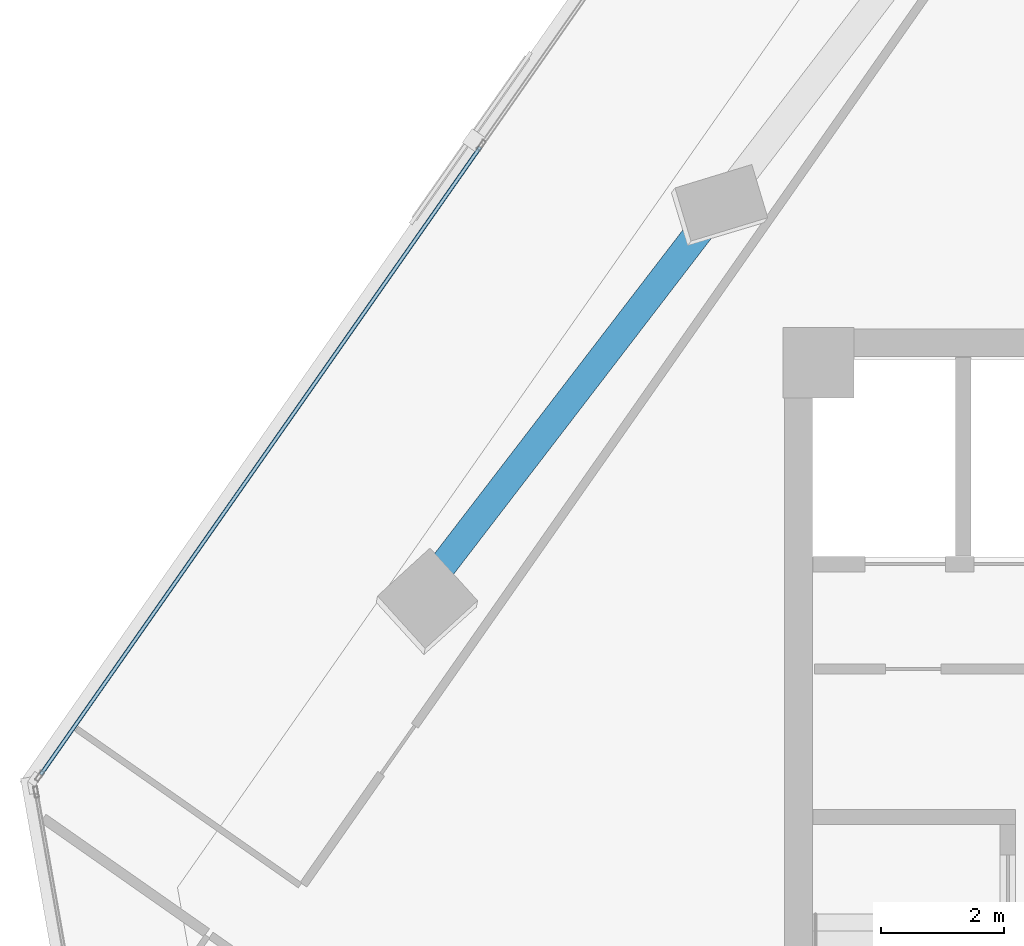
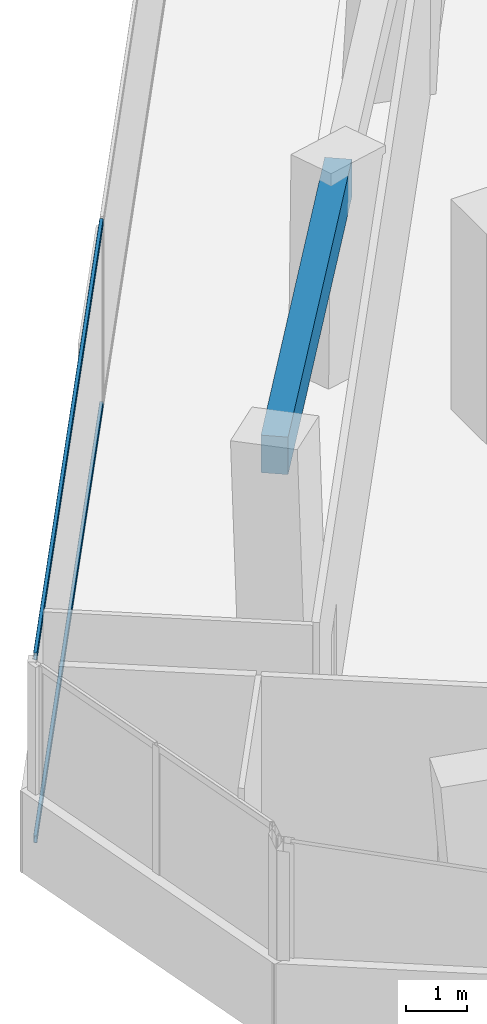
# One storey, part 6 of 21: 2 members, 1 beam, 1 element without a shape of its own.
"""IFC4 building model written with IfcOpenShell, lengths in metres."""

from ifc_helpers import new_model, si_unit, direction, frame, origin, origin_2d, place, context, subcontext, project, spatial, rectangle, hollow_rectangle, extrude, source, transform, mapped, material, material_profile, profile_set, type_object, element, aggregate, save


model = new_model("IFC4")

# Units and contexts
model_context = context("Model", 3, precision=1e-05, world=origin(), true_north=direction((0.0, 1.0)))
body_context = subcontext(model_context, "Body", "Model", "MODEL_VIEW")
ifc_project = project(units=[si_unit("LENGTHUNIT", "METRE"), si_unit("AREAUNIT", "SQUARE_METRE"), si_unit("VOLUMEUNIT", "CUBIC_METRE"), si_unit("PLANEANGLEUNIT", "RADIAN"), si_unit("MASSUNIT", "GRAM", prefix="KILO")], contexts=[model_context])

# Site, building, storey
site_placement = place(None, origin())
site = spatial("IfcSite", under=ifc_project, at=site_placement, CompositionType="ELEMENT")
building_placement = place(site_placement, origin())
building = spatial("IfcBuilding", under=site, at=building_placement, Name="Torre Montelarca", CompositionType="ELEMENT")
storey_placement = place(building_placement, frame((0.0, 0.0, 200.199951171875)))
storey = spatial("IfcBuildingStorey", under=building, at=storey_placement, Name="L45", CompositionType="ELEMENT", Elevation=200.199951171875)

# Beam
ifc_material_1 = material(Name="Concrete C55/67", Category="concrete")
ifc_material_profile_1 = material_profile(ifc_material_1, rectangle(XDim=0.449951171875, YDim=0.75, at=origin_2d()), Name="RCB450X750", Category="concrete")
ifc_profile_set_1 = profile_set([ifc_material_profile_1], Name="Concrete C55/67")
beam_type = type_object("IfcBeamType", Name="BM-SP-RC750-EXT", PredefinedType="SPANDREL", material=ifc_profile_set_1)
shared_shape_1 = source(origin(), body_context, "Body", "SweptSolid", [
    extrude(rectangle(XDim=0.449951171875, YDim=0.75, at=origin_2d()), origin(), (0.0, 0.0, 1.0), 8.0),
])
beam_placement = place(storey_placement, frame((3.261962890625, 35.910888671875, 3.5849609375), z_axis=(0.608772331974, 0.793344974033, 0.0), x_axis=(-0.793344974033, 0.608772331974, 0.0)))
element("IfcBeam", 1, at=beam_placement, inside=storey, type_object=beam_type, Name="L45 Grid Girder Y 24.0-32.0 at X=4.7", PredefinedType="SPANDREL", context=body_context, shape_type="MappedRepresentation", body=[
    mapped(shared_shape_1, transform((0.0, 0.0, 0.0), scale=1.0)),
])

# Curtain wall, members
ifc_material_2 = material(Name="Insulated low-E laminated glass", Category="glass")
curtain_wall_type = type_object("IfcCurtainWallType", Name="CW-SYS-Z2", PredefinedType="USERDEFINED", material=ifc_material_2)
curtain_wall_placement = place(storey_placement, origin())
curtain_wall = element("IfcCurtainWall", 2, at=curtain_wall_placement, inside=storey, type_object=curtain_wall_type, Name="L45 Curtain Wall Run CW-T3-L45-E10-B1", ObjectType="UNITISED GLAZING", PredefinedType="USERDEFINED")
ifc_material_3 = material(Name="Anodised aluminium AA 6063-T6", Category="aluminium")
ifc_material_profile_2 = material_profile(ifc_material_3, hollow_rectangle(XDim=0.06494140625, YDim=0.139892578125, WallThickness=0.00390625, InnerFilletRadius=0.00390625, OuterFilletRadius=0.008056640625, at=origin_2d()), Name="ALU65X140X4", Category="aluminium")
ifc_profile_set_2 = profile_set([ifc_material_profile_2], Name="Anodised aluminium AA 6063-T6")
member_type = type_object("IfcMemberType", Name="CWT-ALU140", PredefinedType="USERDEFINED", material=ifc_profile_set_2)
shared_shape_2 = source(origin(), body_context, "Body", "SweptSolid", [
    extrude(hollow_rectangle(XDim=0.06494140625, YDim=0.139892578125, WallThickness=0.00390625, InnerFilletRadius=0.00390625, OuterFilletRadius=0.008056640625, at=origin_2d()), origin(), (0.0, 0.0, 1.0), 12.4365234375),
])
member_1_placement = place(storey_placement, frame((4.057861328125, 42.95263671875, 0.032470703125), z_axis=(-0.573573009469, -0.819154443807, 0.0), x_axis=(0.819154443807, -0.573573009469, 0.0)))
member_1 = element("IfcMember", 3, at=member_1_placement, type_object=member_type, Name="CW transom 2.1", ObjectType="TRANSOM", PredefinedType="USERDEFINED", context=body_context, shape_type="MappedRepresentation", body=[
    mapped(shared_shape_2, transform((0.0, 0.0, 0.0), scale=1.0)),
])
member_2_placement = place(storey_placement, frame((4.057861328125, 42.95263671875, 3.6875), z_axis=(-0.573573009469, -0.819154443807, 0.0), x_axis=(0.819154443807, -0.573573009469, 0.0)))
member_2 = element("IfcMember", 4, at=member_2_placement, type_object=member_type, Name="CW transom 2.2", ObjectType="TRANSOM", PredefinedType="USERDEFINED", context=body_context, shape_type="MappedRepresentation", body=[
    mapped(shared_shape_2, transform((0.0, 0.0, 0.0), scale=1.0)),
])
aggregate(curtain_wall, [member_1, member_2])

save(model, "model.ifc")
